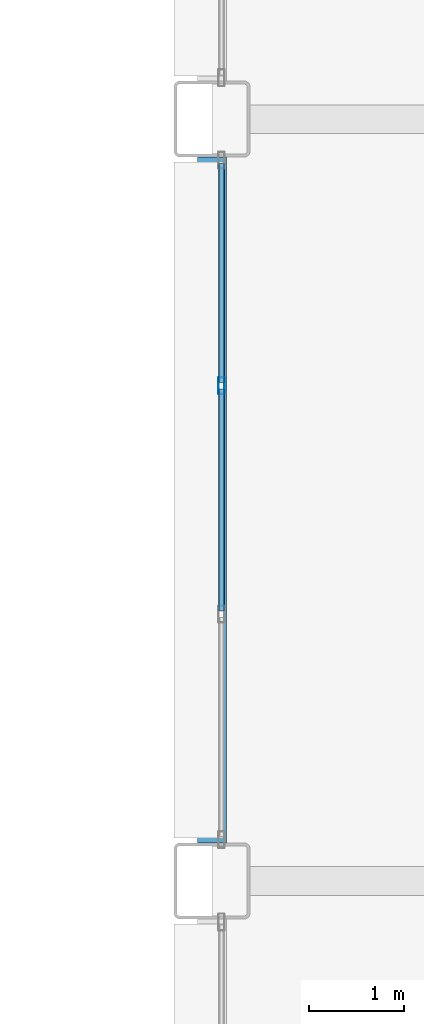
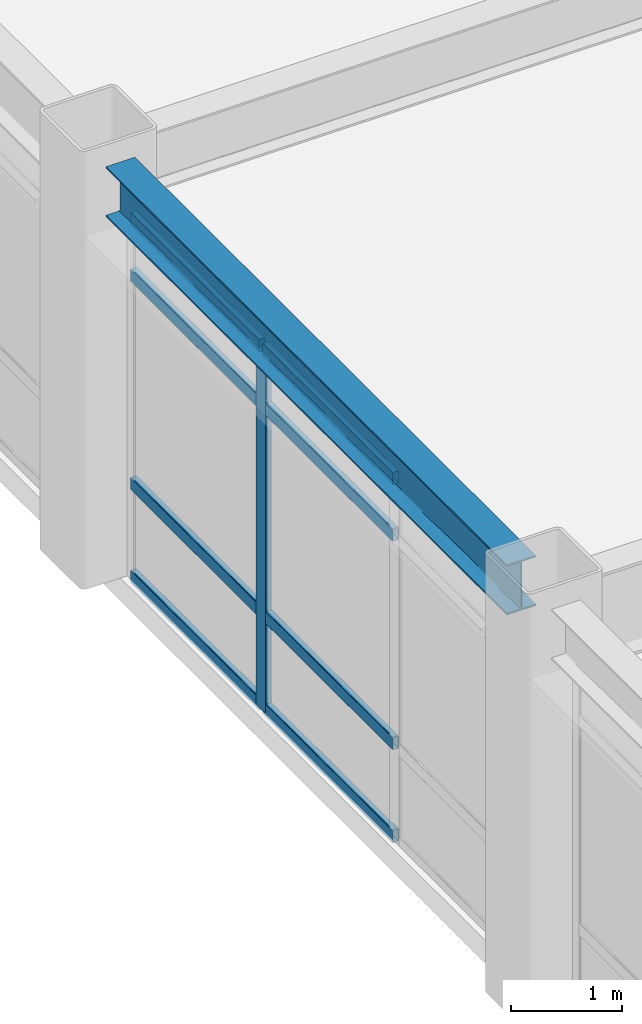
# One storey, part 102 of 154: 9 members, 1 beam, 1 element without a shape of its own.
"""IFC4 building model written with IfcOpenShell, lengths in metres."""

import ifcopenshell
import ifcopenshell.guid

model = None  # the IFC model being written
_history = None  # IfcOwnerHistory: only IFC2X3 demands one
_inside = {}  # id of a spatial element -> (the spatial element, [elements in it])
_under = {}  # id of a project, library or spatial element -> (it, [spatial elements below it])
_declared = {}  # id of a project -> (the project, [libraries it declares])
_typed = {}  # id of a type object -> (the type object, [elements of that type])
_made_of = {}  # id of a material, layer set ... -> (it, [elements and type objects made of it])


def new_model(schema):
    """Start an empty IFC model of exactly this schema.

    Asked for "IFC4X3", IfcOpenShell would pick the latest addendum, in which some entities
    have other attributes; the version numbers below select the first issue.
    IFC2X3 requires an IfcOwnerHistory on every rooted entity: one is made here for all.
    """
    global model, _history
    if schema == "IFC4X3":
        model = ifcopenshell.file(schema_version=(4, 3, 0, 0))
    else:
        model = ifcopenshell.file(schema=schema)
    _inside.clear()
    _under.clear()
    _declared.clear()
    _typed.clear()
    _made_of.clear()
    _history = None
    if model.schema == "IFC2X3":
        org = make("IfcOrganization", Name="unknown")
        user = make(
            "IfcPersonAndOrganization",
            ThePerson=make("IfcPerson", FamilyName="unknown"),
            TheOrganization=org,
        )
        app = make(
            "IfcApplication",
            ApplicationDeveloper=org,
            Version="unknown",
            ApplicationFullName="unknown",
            ApplicationIdentifier="unknown",
        )
        _history = make(
            "IfcOwnerHistory",
            OwningUser=user,
            OwningApplication=app,
            ChangeAction="ADDED",
            CreationDate=0,
        )
    return model


def make(cls, **values):
    """One entity of the class cls with the attributes given. An attribute that is None is left unset."""
    return model.create_entity(
        cls, **{name: value for name, value in values.items() if value is not None}
    )


def rooted(cls, **values):
    """An entity with a GlobalId (a new one), such as an element, a storey or a relation."""
    return make(cls, GlobalId=ifcopenshell.guid.new(), OwnerHistory=_history, **values)


def si_unit(unit_type, name, prefix=None):
    """IfcSIUnit, for example si_unit("LENGTHUNIT", "METRE", prefix="MILLI")."""
    return make("IfcSIUnit", UnitType=unit_type, Prefix=prefix, Name=name)


def assignment(units):
    """IfcUnitAssignment: the units of a project."""
    return None if units is None else make("IfcUnitAssignment", Units=units)


def point(xyz):
    """IfcCartesianPoint."""
    return None if xyz is None else make("IfcCartesianPoint", Coordinates=xyz)


def direction(xyz):
    """IfcDirection."""
    return None if xyz is None else make("IfcDirection", DirectionRatios=xyz)


def frame(location, z_axis=None, x_axis=None):
    """IfcAxis2Placement3D, a coordinate frame: its origin and axes. An axis left out is left unset."""
    return make(
        "IfcAxis2Placement3D",
        Location=point(location),
        Axis=direction(z_axis),
        RefDirection=direction(x_axis),
    )


def frame_2d(location, x_axis=None):
    """IfcAxis2Placement2D, a coordinate frame in the plane: its origin and x axis."""
    return make(
        "IfcAxis2Placement2D", Location=point(location), RefDirection=direction(x_axis)
    )


def origin():
    """The frame at (0, 0, 0) with its axes left unset."""
    return frame((0.0, 0.0, 0.0))


def origin_2d():
    """The frame at (0, 0) in the plane with its x axis left unset."""
    return frame_2d((0.0, 0.0))


def place(relative_to, where):
    """IfcLocalPlacement: puts the frame where relative to a parent placement (None: the world)."""
    return make(
        "IfcLocalPlacement", PlacementRelTo=relative_to, RelativePlacement=where
    )


def context(
    kind, dimensions, precision=None, world=None, true_north=None, identifier=None
):
    """IfcGeometricRepresentationContext, for example the 3D "Model" context."""
    return make(
        "IfcGeometricRepresentationContext",
        ContextIdentifier=identifier,
        ContextType=kind,
        CoordinateSpaceDimension=dimensions,
        Precision=precision,
        WorldCoordinateSystem=world,
        TrueNorth=true_north,
    )


def subcontext(parent, identifier, kind, view, scale=None):
    """IfcGeometricRepresentationSubContext, for example "Body" below "Model"."""
    return make(
        "IfcGeometricRepresentationSubContext",
        ContextIdentifier=identifier,
        ContextType=kind,
        ParentContext=parent,
        TargetScale=scale,
        TargetView=view,
    )


def project(units=None, contexts=None):
    """IfcProject with its units and contexts."""
    return rooted(
        "IfcProject",
        Name="project",
        RepresentationContexts=contexts,
        UnitsInContext=assignment(units),
    )


def spatial(cls, under=None, at=None, **own):
    """A site, building, storey or space (cls), placed at a placement, below another one or the project."""
    s = rooted(cls, ObjectPlacement=at, **own)
    if under is not None:
        _under.setdefault(under.id(), (under, []))[1].append(s)
    return s


def profile(cls, at=None, kind="AREA", **sizes):
    """A parametric profile (cls). Its sizes go by their IFC names, for example OverallWidth=200.0."""
    return make(cls, ProfileType=kind, Position=at, **sizes)


def hollow_rectangle(**sizes):
    """IfcRectangleHollowProfileDef."""
    return profile("IfcRectangleHollowProfileDef", **sizes)


def i_section(**sizes):
    """IfcIShapeProfileDef."""
    return profile("IfcIShapeProfileDef", **sizes)


def extrude(swept, where, along, depth):
    """IfcExtrudedAreaSolid: the profile swept, set in the frame where, extruded along a direction by depth."""
    return make(
        "IfcExtrudedAreaSolid",
        SweptArea=swept,
        Position=where,
        ExtrudedDirection=direction(along),
        Depth=depth,
    )


def shape(context_of_items, identifier, shape_type, items):
    """IfcShapeRepresentation: the items that make up one representation, for example the "Body"."""
    return make(
        "IfcShapeRepresentation",
        ContextOfItems=context_of_items,
        RepresentationIdentifier=identifier,
        RepresentationType=shape_type,
        Items=items,
    )


def material(Name=None, Category=None):
    """IfcMaterial."""
    return make("IfcMaterial", Name=Name, Category=Category)


def layer(
    of_material, thickness, ventilated=None, Name=None, Category=None, Priority=None
):
    """IfcMaterialLayer: one layer of a wall or slab, of a material (None: an air gap)."""
    return make(
        "IfcMaterialLayer",
        Material=of_material,
        LayerThickness=thickness,
        IsVentilated=ventilated,
        Name=Name,
        Category=Category,
        Priority=Priority,
    )


def layer_set(layers, Name=None):
    """IfcMaterialLayerSet."""
    return make("IfcMaterialLayerSet", MaterialLayers=layers, LayerSetName=Name)


def material_profile(
    of_material, cross_section, Name=None, Category=None, Priority=None
):
    """IfcMaterialProfile: a cross section and its material."""
    return make(
        "IfcMaterialProfile",
        Name=Name,
        Material=of_material,
        Profile=cross_section,
        Priority=Priority,
        Category=Category,
    )


def profile_set(profiles, Name=None, composite=None):
    """IfcMaterialProfileSet."""
    return make(
        "IfcMaterialProfileSet",
        Name=Name,
        MaterialProfiles=profiles,
        CompositeProfile=composite,
    )


def made_of(thing, what):
    """Note that an element or type object is made of a material, layer set ...; save() writes the relation."""
    if what is not None:
        _made_of.setdefault(what.id(), (what, []))[1].append(thing)
    return thing


def type_object(cls, material=None, **own):
    """A type object (cls), such as IfcWallType, which elements share."""
    return made_of(rooted(cls, **own), material)


def element(
    cls,
    number,
    at=None,
    inside=None,
    cuts=None,
    type_object=None,
    material=None,
    context=None,
    identifier="Body",
    shape_type=None,
    held_by="IfcProductDefinitionShape",
    body=None,
    shapes=None,
    **own,
):
    """One element of the class cls, such as IfcWall. Its Tag is "e" and its number.

    at: its placement. inside: the storey or other place that contains it. cuts: it is an
    opening in that element (IfcRelVoidsElement). A single representation is given by context,
    identifier, shape_type and body (its items); several are given by shapes. held_by: the class
    of the entity that holds the representations. save() writes the other relations.
    """
    e = rooted(cls, Tag="e%d" % number, ObjectPlacement=at, **own)
    if body is not None:
        shapes = [shape(context, identifier, shape_type, body)]
    if shapes is not None:
        e.Representation = make(held_by, Representations=shapes)
    if inside is not None:
        _inside.setdefault(inside.id(), (inside, []))[1].append(e)
    if cuts is not None:
        rooted(
            "IfcRelVoidsElement", RelatingBuildingElement=cuts, RelatedOpeningElement=e
        )
    if type_object is not None:
        _typed.setdefault(type_object.id(), (type_object, []))[1].append(e)
    return made_of(e, material)


def aggregate(whole, parts):
    """IfcRelAggregates: a whole, such as a stair, and the parts it consists of."""
    return rooted("IfcRelAggregates", RelatingObject=whole, RelatedObjects=parts)


def save(model, path):
    """Write the relations noted so far, then the file.

    IfcRelAggregates (storeys below a building ...), IfcRelContainedInSpatialStructure (elements
    in a storey), IfcRelDefinesByType, IfcRelAssociatesMaterial and IfcRelDeclares: one each for
    every whole, place, type object, material and project.
    """
    for whole, parts in _under.values():
        aggregate(whole, parts)
    for where, things in _inside.values():
        rooted(
            "IfcRelContainedInSpatialStructure",
            RelatedElements=things,
            RelatingStructure=where,
        )
    for kind, things in _typed.values():
        rooted("IfcRelDefinesByType", RelatedObjects=things, RelatingType=kind)
    for what, things in _made_of.values():
        rooted("IfcRelAssociatesMaterial", RelatedObjects=things, RelatingMaterial=what)
    for by, libraries in _declared.values():
        rooted("IfcRelDeclares", RelatingContext=by, RelatedDefinitions=libraries)
    model.write(path)


model = new_model("IFC4")

# Units and contexts
model_context = context("Model", 3, precision=1e-05, world=origin(), true_north=direction((0.0, 1.0)))
body_context = subcontext(model_context, "Body", "Model", "MODEL_VIEW")
ifc_project = project(units=[si_unit("LENGTHUNIT", "METRE"), si_unit("AREAUNIT", "SQUARE_METRE"), si_unit("VOLUMEUNIT", "CUBIC_METRE"), si_unit("PLANEANGLEUNIT", "RADIAN"), si_unit("MASSUNIT", "GRAM", prefix="KILO")], contexts=[model_context])

# Site, building, storey
site_placement = place(None, origin())
site = spatial("IfcSite", under=ifc_project, at=site_placement, CompositionType="ELEMENT")
building_placement = place(site_placement, origin())
building = spatial("IfcBuilding", under=site, at=building_placement, Name="Kazehara Bluff Congress Hotel", CompositionType="ELEMENT")
storey_placement = place(building_placement, frame((0.0, 0.0, 10.199951171875)))
storey = spatial("IfcBuildingStorey", under=building, at=storey_placement, Name="L02", CompositionType="ELEMENT", Elevation=10.199951171875)

# Curtain wall, members
ifc_material_1 = material(Name="Anodised aluminium", Category="aluminium")
ifc_layer = layer(ifc_material_1, 0.159912109375)
ifc_layer_set = layer_set([ifc_layer], Name="Anodised aluminium")
curtain_wall_type = type_object("IfcCurtainWallType", Name="TP-CW-120", PredefinedType="NOTDEFINED", material=ifc_layer_set)
curtain_wall_placement = place(storey_placement, origin())
curtain_wall = element("IfcCurtainWall", 1, at=curtain_wall_placement, inside=storey, type_object=curtain_wall_type, Name="L02 curtain wall CW-120 CW-ENC-V5-L02-14380-9290", PredefinedType="NOTDEFINED")
ifc_material_2 = material(Name="Anodised aluminium", Category="aluminium")
ifc_material_profile_1 = material_profile(ifc_material_2, hollow_rectangle(XDim=0.06494140625, YDim=0.179931640625, WallThickness=0.00390625, InnerFilletRadius=0.00390625, OuterFilletRadius=0.008056640625, at=origin_2d()))
ifc_profile_set_1 = profile_set([ifc_material_profile_1], Name="Anodised aluminium")
member_type_1 = type_object("IfcMemberType", Name="TP-CWM-02", PredefinedType="MULLION", material=ifc_profile_set_1)
member_1_placement = place(storey_placement, frame((143.800048828125, 94.10009765625, 0.0), z_axis=(0.0, 0.0, 1.0), x_axis=(-1.0, 0.0, 0.0)))
member_1 = element("IfcMember", 2, at=member_1_placement, type_object=member_type_1, Name="CW-120 mullion 3", PredefinedType="MULLION", context=body_context, shape_type="SweptSolid", body=[
    extrude(hollow_rectangle(XDim=0.06494140625, YDim=0.179931640625, WallThickness=0.00390625, InnerFilletRadius=0.00390625, OuterFilletRadius=0.008056640625, at=origin_2d()), origin(), (0.0, 0.0, 1.0), 3.985107421875),
])
ifc_material_3 = material(Name="Anodised aluminium", Category="aluminium")
ifc_material_profile_2 = material_profile(ifc_material_3, hollow_rectangle(XDim=0.06494140625, YDim=0.139892578125, WallThickness=0.00390625, InnerFilletRadius=0.00390625, OuterFilletRadius=0.008056640625, at=origin_2d()))
ifc_profile_set_2 = profile_set([ifc_material_profile_2], Name="Anodised aluminium")
member_type_2 = type_object("IfcMemberType", Name="TP-CWT-02", PredefinedType="USERDEFINED", material=ifc_profile_set_2)
member_2_placement = place(storey_placement, frame((143.800048828125, 91.732421875, 0.032470703125), z_axis=(0.0, 1.0, 0.0), x_axis=(-1.0, 0.0, 0.0)))
member_2 = element("IfcMember", 3, at=member_2_placement, type_object=member_type_2, Name="CW-120 transom 2.1", ObjectType="TRANSOM", PredefinedType="USERDEFINED", context=body_context, shape_type="SweptSolid", body=[
    extrude(hollow_rectangle(XDim=0.06494140625, YDim=0.139892578125, WallThickness=0.00390625, InnerFilletRadius=0.00390625, OuterFilletRadius=0.008056640625, at=origin_2d()), origin(), (0.0, 0.0, 1.0), 2.3349609375),
])
member_3_placement = place(storey_placement, frame((143.800048828125, 91.732421875, 1.050048828125), z_axis=(0.0, 1.0, 0.0), x_axis=(-1.0, 0.0, 0.0)))
member_3 = element("IfcMember", 4, at=member_3_placement, type_object=member_type_2, Name="CW-120 transom 2.2", ObjectType="TRANSOM", PredefinedType="USERDEFINED", context=body_context, shape_type="SweptSolid", body=[
    extrude(hollow_rectangle(XDim=0.06494140625, YDim=0.139892578125, WallThickness=0.00390625, InnerFilletRadius=0.00390625, OuterFilletRadius=0.008056640625, at=origin_2d()), origin(), (0.0, 0.0, 1.0), 2.3349609375),
])
member_4_placement = place(storey_placement, frame((143.800048828125, 91.732421875, 3.3349609375), z_axis=(0.0, 1.0, 0.0), x_axis=(-1.0, 0.0, 0.0)))
member_4 = element("IfcMember", 5, at=member_4_placement, type_object=member_type_2, Name="CW-120 transom 2.3", ObjectType="TRANSOM", PredefinedType="USERDEFINED", context=body_context, shape_type="SweptSolid", body=[
    extrude(hollow_rectangle(XDim=0.06494140625, YDim=0.139892578125, WallThickness=0.00390625, InnerFilletRadius=0.00390625, OuterFilletRadius=0.008056640625, at=origin_2d()), origin(), (0.0, 0.0, 1.0), 2.3349609375),
])
member_5_placement = place(storey_placement, frame((143.800048828125, 91.732421875, 3.95263671875), z_axis=(0.0, 1.0, 0.0), x_axis=(-1.0, 0.0, 0.0)))
member_5 = element("IfcMember", 6, at=member_5_placement, type_object=member_type_2, Name="CW-120 transom 2.4", ObjectType="TRANSOM", PredefinedType="USERDEFINED", context=body_context, shape_type="SweptSolid", body=[
    extrude(hollow_rectangle(XDim=0.06494140625, YDim=0.139892578125, WallThickness=0.00390625, InnerFilletRadius=0.00390625, OuterFilletRadius=0.008056640625, at=origin_2d()), origin(), (0.0, 0.0, 1.0), 2.3349609375),
])
member_6_placement = place(storey_placement, frame((143.800048828125, 94.132568359375, 0.032470703125), z_axis=(0.0, 1.0, 0.0), x_axis=(-1.0, 0.0, 0.0)))
member_6 = element("IfcMember", 7, at=member_6_placement, type_object=member_type_2, Name="CW-120 transom 3.1", ObjectType="TRANSOM", PredefinedType="USERDEFINED", context=body_context, shape_type="SweptSolid", body=[
    extrude(hollow_rectangle(XDim=0.06494140625, YDim=0.139892578125, WallThickness=0.00390625, InnerFilletRadius=0.00390625, OuterFilletRadius=0.008056640625, at=origin_2d()), origin(), (0.0, 0.0, 1.0), 2.302490234375),
])
member_7_placement = place(storey_placement, frame((143.800048828125, 94.132568359375, 1.050048828125), z_axis=(0.0, 1.0, 0.0), x_axis=(-1.0, 0.0, 0.0)))
member_7 = element("IfcMember", 8, at=member_7_placement, type_object=member_type_2, Name="CW-120 transom 3.2", ObjectType="TRANSOM", PredefinedType="USERDEFINED", context=body_context, shape_type="SweptSolid", body=[
    extrude(hollow_rectangle(XDim=0.06494140625, YDim=0.139892578125, WallThickness=0.00390625, InnerFilletRadius=0.00390625, OuterFilletRadius=0.008056640625, at=origin_2d()), origin(), (0.0, 0.0, 1.0), 2.302490234375),
])
member_8_placement = place(storey_placement, frame((143.800048828125, 94.132568359375, 3.3349609375), z_axis=(0.0, 1.0, 0.0), x_axis=(-1.0, 0.0, 0.0)))
member_8 = element("IfcMember", 9, at=member_8_placement, type_object=member_type_2, Name="CW-120 transom 3.3", ObjectType="TRANSOM", PredefinedType="USERDEFINED", context=body_context, shape_type="SweptSolid", body=[
    extrude(hollow_rectangle(XDim=0.06494140625, YDim=0.139892578125, WallThickness=0.00390625, InnerFilletRadius=0.00390625, OuterFilletRadius=0.008056640625, at=origin_2d()), origin(), (0.0, 0.0, 1.0), 2.302490234375),
])
member_9_placement = place(storey_placement, frame((143.800048828125, 94.132568359375, 3.95263671875), z_axis=(0.0, 1.0, 0.0), x_axis=(-1.0, 0.0, 0.0)))
member_9 = element("IfcMember", 10, at=member_9_placement, type_object=member_type_2, Name="CW-120 transom 3.4", ObjectType="TRANSOM", PredefinedType="USERDEFINED", context=body_context, shape_type="SweptSolid", body=[
    extrude(hollow_rectangle(XDim=0.06494140625, YDim=0.139892578125, WallThickness=0.00390625, InnerFilletRadius=0.00390625, OuterFilletRadius=0.008056640625, at=origin_2d()), origin(), (0.0, 0.0, 1.0), 2.302490234375),
])
aggregate(curtain_wall, [member_1, member_2, member_3, member_4, member_5, member_6, member_7, member_8, member_9])

# Beam
ifc_material_4 = material(Name="Steel SN490B", Category="steel")
ifc_material_profile_3 = material_profile(ifc_material_4, i_section(OverallWidth=0.300048828125, OverallDepth=0.550048828125, WebThickness=0.010986328125, FlangeThickness=0.01806640625, FilletRadius=0.012939453125, at=origin_2d()))
ifc_profile_set_3 = profile_set([ifc_material_profile_3], Name="Steel SN490B")
beam_type = type_object("IfcBeamType", Name="TP-SP-01", PredefinedType="SPANDREL", material=ifc_profile_set_3)
beam_placement = place(storey_placement, frame((143.699951171875, 89.300048828125, 4.28515625), z_axis=(0.0, 1.0, 0.0), x_axis=(-1.0, 0.0, 0.0)))
element("IfcBeam", 11, at=beam_placement, inside=storey, type_object=beam_type, Name="L02 girder SP-01 148", PredefinedType="SPANDREL", context=body_context, shape_type="SweptSolid", body=[
    extrude(i_section(OverallWidth=0.300048828125, OverallDepth=0.550048828125, WebThickness=0.010986328125, FlangeThickness=0.01806640625, FilletRadius=0.012939453125, at=origin_2d()), origin(), (0.0, 0.0, 1.0), 7.199951171875),
])

save(model, "model.ifc")
